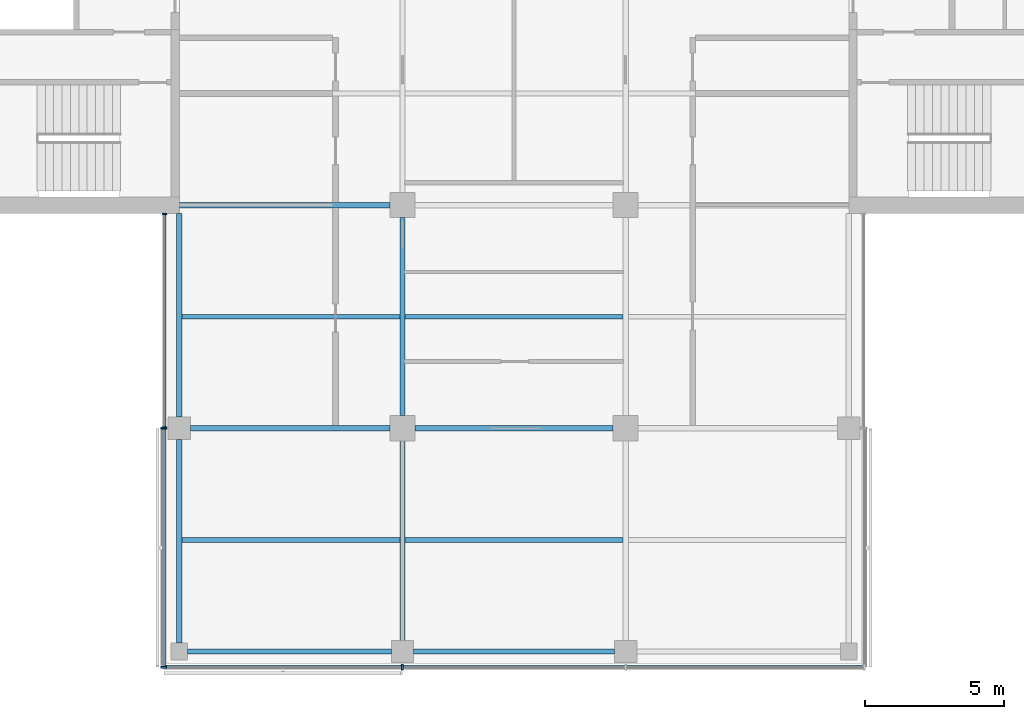
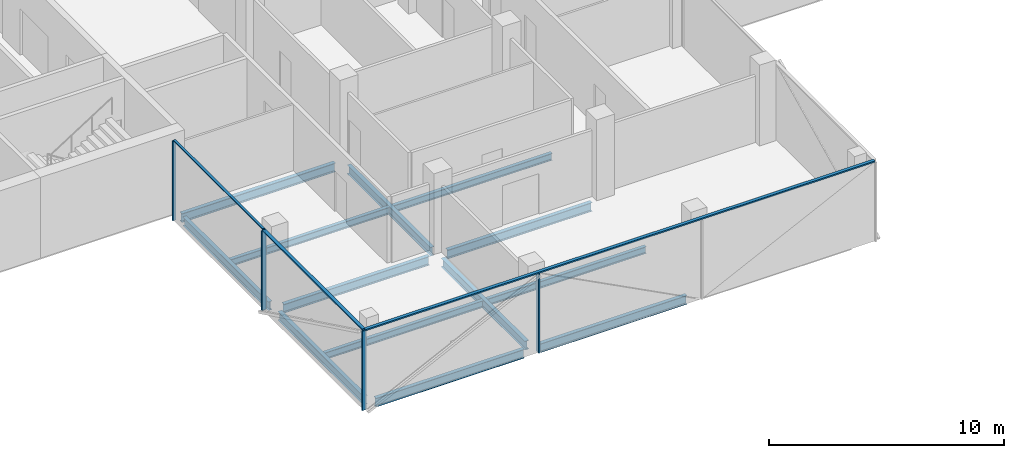
# One storey, part 2 of 16: 13 beams, 8 members, 3 elements without a shape of their own.
"""IFC4 building model written with IfcOpenShell, lengths in metres."""

from ifc_helpers import new_model, si_unit, direction, frame, origin, origin_2d, place, context, subcontext, project, spatial, rectangle, i_section, extrude, material, material_profile, profile_set, type_object, element, aggregate, save


model = new_model("IFC4")

# Units and contexts
model_context = context("Model", 3, precision=1e-05, world=origin(), true_north=direction((0.0, 1.0)))
body_context = subcontext(model_context, "Body", "Model", "MODEL_VIEW")
ifc_project = project(units=[si_unit("LENGTHUNIT", "METRE"), si_unit("AREAUNIT", "SQUARE_METRE"), si_unit("VOLUMEUNIT", "CUBIC_METRE"), si_unit("PLANEANGLEUNIT", "RADIAN"), si_unit("MASSUNIT", "GRAM", prefix="KILO")], contexts=[model_context])

# Site, building, storey
site_placement = place(None, origin())
site = spatial("IfcSite", under=ifc_project, at=site_placement, CompositionType="ELEMENT")
building_placement = place(site_placement, origin())
building = spatial("IfcBuilding", under=site, at=building_placement, Name="Crosswind Convention Tower", CompositionType="ELEMENT")
storey_placement = place(building_placement, frame((0.0, 0.0, 216.699951171875)))
storey = spatial("IfcBuildingStorey", under=building, at=storey_placement, Name="L46", CompositionType="ELEMENT", Elevation=216.699951171875)

# Beams
ifc_material_1 = material(Name="Steel S355", Category="steel")
ifc_material_profile_1 = material_profile(ifc_material_1, i_section(OverallWidth=0.18994140625, OverallDepth=0.45361328125, WebThickness=0.008544921875, FlangeThickness=0.0126953125, FilletRadius=0.01025390625, at=origin_2d()), Name="UB 457x191x67")
ifc_profile_set_1 = profile_set([ifc_material_profile_1], Name="Steel S355")
beam_type_1 = type_object("IfcBeamType", Name="Edge beam UB 457x191x67", PredefinedType="SPANDREL", material=ifc_profile_set_1)
for number, where, z_axis, x_axis, name in (
    (1, (113.0, 72.300048828125, -0.52685546875), (0.0, 1.0, 0.0), (-1.0, 0.0, 0.0), "B16 L46 edge beam 1"),
    (2, (113.0, 80.39990234375, -0.52685546875), (0.0, 1.0, 0.0), (-1.0, 0.0, 0.0), "B16 L46 edge beam 2"),
    (3, (113.300048828125, 72.0, -0.52685546875), (1.0, 0.0, 0.0), (0.0, 1.0, 0.0), "B16 L46 edge beam 5"),
):
    element("IfcBeam", number, at=place(storey_placement, frame(where, z_axis=z_axis, x_axis=x_axis)), inside=storey, type_object=beam_type_1, Name=name, PredefinedType="SPANDREL", context=body_context, shape_type="SweptSolid", body=[
        extrude(i_section(OverallWidth=0.18994140625, OverallDepth=0.45361328125, WebThickness=0.008544921875, FlangeThickness=0.0126953125, FilletRadius=0.01025390625, at=origin_2d()), origin(), (0.0, 0.0, 1.0), 7.300048828125),
    ])
beam_1_placement = place(storey_placement, frame((121.39990234375, 72.0, -0.52685546875), z_axis=(1.0, 0.0, 0.0), x_axis=(0.0, 1.0, 0.0)))
element("IfcBeam", 4, at=beam_1_placement, inside=storey, type_object=beam_type_1, Name="B16 L46 edge beam 7", PredefinedType="SPANDREL", context=body_context, shape_type="SweptSolid", body=[
    extrude(i_section(OverallWidth=0.18994140625, OverallDepth=0.45361328125, WebThickness=0.008544921875, FlangeThickness=0.0126953125, FilletRadius=0.01025390625, at=origin_2d()), origin(), (0.0, 0.0, 1.0), 7.2001953125),
])
ifc_material_profile_2 = material_profile(ifc_material_1, i_section(OverallWidth=0.1904296875, OverallDepth=0.457275390625, WebThickness=0.009033203125, FlangeThickness=0.014404296875, FilletRadius=0.01025390625, at=origin_2d()), Name="UB 457x191x75")
ifc_profile_set_2 = profile_set([ifc_material_profile_2], Name="Steel S355")
beam_type_2 = type_object("IfcBeamType", Name="Girder UB 457x191x75", PredefinedType="BEAM", material=ifc_profile_set_2)
for number, where, z_axis, x_axis, name in (
    (5, (113.39990234375, 80.0, -0.528564453125), (1.0, 0.0, 0.0), (0.0, 1.0, 0.0), "B2 L46 girder 1"),
    (6, (121.0, 72.39990234375, -0.528564453125), (0.0, 1.0, 0.0), (-1.0, 0.0, 0.0), "B2 L46 girder 3"),
):
    element("IfcBeam", number, at=place(storey_placement, frame(where, z_axis=z_axis, x_axis=x_axis)), inside=storey, type_object=beam_type_2, Name=name, PredefinedType="BEAM", context=body_context, shape_type="SweptSolid", body=[
        extrude(i_section(OverallWidth=0.1904296875, OverallDepth=0.457275390625, WebThickness=0.009033203125, FlangeThickness=0.014404296875, FilletRadius=0.01025390625, at=origin_2d()), origin(), (0.0, 0.0, 1.0), 7.150146484375),
    ])
for number, where, z_axis, x_axis, name in (
    (7, (121.0, 80.449951171875, -0.528564453125), (0.0, 1.0, 0.0), (-1.0, 0.0, 0.0), "B2 L46 girder 4"),
    (8, (121.449951171875, 80.0, -0.528564453125), (1.0, 0.0, 0.0), (0.0, 1.0, 0.0), "B2 L46 girder 10"),
):
    element("IfcBeam", number, at=place(storey_placement, frame(where, z_axis=z_axis, x_axis=x_axis)), inside=storey, type_object=beam_type_2, Name=name, PredefinedType="BEAM", context=body_context, shape_type="SweptSolid", body=[
        extrude(i_section(OverallWidth=0.1904296875, OverallDepth=0.457275390625, WebThickness=0.009033203125, FlangeThickness=0.014404296875, FilletRadius=0.01025390625, at=origin_2d()), origin(), (0.0, 0.0, 1.0), 7.10009765625),
    ])
ifc_material_profile_3 = material_profile(ifc_material_1, i_section(OverallWidth=0.19140625, OverallDepth=0.460205078125, WebThickness=0.010009765625, FlangeThickness=0.01611328125, FilletRadius=0.01025390625, at=origin_2d()), Name="UB 457x191x82")
ifc_profile_set_3 = profile_set([ifc_material_profile_3], Name="Steel S355")
beam_type_3 = type_object("IfcBeamType", Name="Girder at core wall UB 457x191x82", PredefinedType="BEAM", material=ifc_profile_set_3)
beam_2_placement = place(storey_placement, frame((113.0, 88.0, -0.530029296875), z_axis=(1.0, 0.0, 0.0), x_axis=(0.0, 1.0, 0.0)))
element("IfcBeam", 9, at=beam_2_placement, inside=storey, type_object=beam_type_3, Name="B23 L46 girder at core wall 1", PredefinedType="BEAM", context=body_context, shape_type="SweptSolid", body=[
    extrude(i_section(OverallWidth=0.19140625, OverallDepth=0.460205078125, WebThickness=0.010009765625, FlangeThickness=0.01611328125, FilletRadius=0.01025390625, at=origin_2d()), origin(), (0.0, 0.0, 1.0), 7.550048828125),
])

# Curtain wall, members
ifc_material_2 = material(Name="Aluminium unitised curtain wall", Category="aluminium")
curtain_wall_type_1 = type_object("IfcCurtainWallType", Name="CORE END SLOT WALL 160", PredefinedType="USERDEFINED", material=ifc_material_2)
curtain_wall_1_placement = place(storey_placement, origin())
curtain_wall_1 = element("IfcCurtainWall", 10, at=curtain_wall_1_placement, inside=storey, type_object=curtain_wall_type_1, Name="CW6 L46 S-W.1-1 slot", ObjectType="UNITISED", PredefinedType="USERDEFINED")
ifc_material_3 = material(Name="Aluminium mullion", Category="aluminium")
ifc_material_profile_4 = material_profile(ifc_material_3, rectangle(XDim=0.159912109375, YDim=0.050048828125, at=origin_2d()), Name="AL 160X50")
ifc_profile_set_4 = profile_set([ifc_material_profile_4], Name="Aluminium mullion")
member_type_1 = type_object("IfcMemberType", Name="MULLION 50X160", PredefinedType="MULLION", material=ifc_profile_set_4)
member_1_placement = place(storey_placement, frame((112.469970703125, 87.675048828125, -0.300048828125), z_axis=(0.0, 0.0, 1.0), x_axis=(-1.0, 0.0, 0.0)))
member_1 = element("IfcMember", 11, at=member_1_placement, type_object=member_type_1, Name="CW6 mullion 1", PredefinedType="MULLION", context=body_context, shape_type="SweptSolid", body=[
    extrude(rectangle(XDim=0.159912109375, YDim=0.050048828125, at=origin_2d()), origin(), (0.0, 0.0, 1.0), 4.150146484375),
])
member_2_placement = place(storey_placement, frame((112.469970703125, 80.02490234375, -0.300048828125), z_axis=(0.0, 0.0, 1.0), x_axis=(-1.0, 0.0, 0.0)))
member_2 = element("IfcMember", 12, at=member_2_placement, type_object=member_type_1, Name="CW6 mullion 2", PredefinedType="MULLION", context=body_context, shape_type="SweptSolid", body=[
    extrude(rectangle(XDim=0.159912109375, YDim=0.050048828125, at=origin_2d()), origin(), (0.0, 0.0, 1.0), 4.150146484375),
])

curtain_wall_type_2 = type_object("IfcCurtainWallType", Name="OFFICE UNITISED WALL 220", PredefinedType="USERDEFINED", material=ifc_material_2)
curtain_wall_2_placement = place(storey_placement, origin())
curtain_wall_2 = element("IfcCurtainWall", 13, at=curtain_wall_2_placement, inside=storey, type_object=curtain_wall_type_2, Name="CW3 L46 S-W 1", ObjectType="UNITISED", PredefinedType="USERDEFINED")
ifc_material_profile_5 = material_profile(ifc_material_3, rectangle(XDim=0.219970703125, YDim=0.070068359375, at=origin_2d()), Name="AL 220X70")
ifc_profile_set_5 = profile_set([ifc_material_profile_5], Name="Aluminium mullion")
member_type_2 = type_object("IfcMemberType", Name="MULLION 70X220", PredefinedType="MULLION", material=ifc_profile_set_5)
member_3_placement = place(storey_placement, frame((112.43994140625, 80.0, -0.300048828125), z_axis=(0.0, 0.0, 1.0), x_axis=(-1.0, 0.0, 0.0)))
member_3 = element("IfcMember", 14, at=member_3_placement, type_object=member_type_2, Name="CW3 mullion 1", PredefinedType="MULLION", context=body_context, shape_type="SweptSolid", body=[
    extrude(rectangle(XDim=0.219970703125, YDim=0.070068359375, at=origin_2d()), origin(), (0.0, 0.0, 1.0), 4.130126953125),
])
member_4_placement = place(storey_placement, frame((112.43994140625, 71.43994140625, -0.300048828125), z_axis=(0.0, 0.0, 1.0), x_axis=(-1.0, 0.0, 0.0)))
member_4 = element("IfcMember", 15, at=member_4_placement, type_object=member_type_2, Name="CW3 mullion 2", PredefinedType="MULLION", context=body_context, shape_type="SweptSolid", body=[
    extrude(rectangle(XDim=0.219970703125, YDim=0.070068359375, at=origin_2d()), origin(), (0.0, 0.0, 1.0), 4.130126953125),
])

# Curtain wall, member
curtain_wall_3_placement = place(storey_placement, origin())
curtain_wall_3 = element("IfcCurtainWall", 16, at=curtain_wall_3_placement, inside=storey, type_object=curtain_wall_type_2, Name="CW3 L46 S-TIP 1", ObjectType="UNITISED", PredefinedType="USERDEFINED")
member_5_placement = place(storey_placement, frame((121.0, 71.43994140625, -0.300048828125), z_axis=(0.0, 0.0, 1.0), x_axis=(0.0, -1.0, 0.0)))
member_5 = element("IfcMember", 17, at=member_5_placement, type_object=member_type_2, Name="CW3 mullion 2", PredefinedType="MULLION", context=body_context, shape_type="SweptSolid", body=[
    extrude(rectangle(XDim=0.219970703125, YDim=0.070068359375, at=origin_2d()), origin(), (0.0, 0.0, 1.0), 4.130126953125),
])

# Beams
ifc_material_profile_6 = material_profile(ifc_material_1, i_section(OverallWidth=0.172119140625, OverallDepth=0.358642578125, WebThickness=0.008056640625, FlangeThickness=0.012939453125, FilletRadius=0.01025390625, at=origin_2d()), Name="UB 356x171x57")
ifc_profile_set_6 = profile_set([ifc_material_profile_6], Name="Steel S355")
beam_type_4 = type_object("IfcBeamType", Name="Secondary beam UB 356x171x57", PredefinedType="JOIST", material=ifc_profile_set_6)
for number, where, z_axis, x_axis, name in (
    (18, (113.094970703125, 76.0, -0.479248046875), (1.0, 0.0, 0.0), (0.0, 1.0, 0.0), "B9 L46 secondary beam 4"),
    (19, (113.094970703125, 84.0, -0.479248046875), (1.0, 0.0, 0.0), (0.0, 1.0, 0.0), "B9 L46 secondary beam 5"),
):
    element("IfcBeam", number, at=place(storey_placement, frame(where, z_axis=z_axis, x_axis=x_axis)), inside=storey, type_object=beam_type_4, Name=name, PredefinedType="JOIST", context=body_context, shape_type="SweptSolid", body=[
        extrude(i_section(OverallWidth=0.172119140625, OverallDepth=0.358642578125, WebThickness=0.008056640625, FlangeThickness=0.012939453125, FilletRadius=0.01025390625, at=origin_2d()), origin(), (0.0, 0.0, 1.0), 7.809814453125),
    ])
for number, where, z_axis, x_axis, name in (
    (20, (121.09521484375, 76.0, -0.479248046875), (1.0, 0.0, 0.0), (0.0, 1.0, 0.0), "B9 L46 secondary beam 8"),
    (21, (121.09521484375, 84.0, -0.479248046875), (1.0, 0.0, 0.0), (0.0, 1.0, 0.0), "B9 L46 secondary beam 9"),
):
    element("IfcBeam", number, at=place(storey_placement, frame(where, z_axis=z_axis, x_axis=x_axis)), inside=storey, type_object=beam_type_4, Name=name, PredefinedType="JOIST", context=body_context, shape_type="SweptSolid", body=[
        extrude(i_section(OverallWidth=0.172119140625, OverallDepth=0.358642578125, WebThickness=0.008056640625, FlangeThickness=0.012939453125, FilletRadius=0.01025390625, at=origin_2d()), origin(), (0.0, 0.0, 1.0), 7.8095703125),
    ])

# Member
ifc_material_4 = material(Name="Aluminium transom", Category="aluminium")
ifc_material_profile_7 = material_profile(ifc_material_4, rectangle(XDim=0.1201171875, YDim=0.050048828125, at=origin_2d()), Name="AL 120X50")
ifc_profile_set_7 = profile_set([ifc_material_profile_7], Name="Aluminium transom")
member_type_3 = type_object("IfcMemberType", Name="TRANSOM 50X120", PredefinedType="USERDEFINED", material=ifc_profile_set_7)
member_6_placement = place(storey_placement, frame((112.469970703125, 87.64990234375, 3.875), z_axis=(0.0, -1.0, 0.0), x_axis=(1.0, 0.0, 0.0)))
member_6 = element("IfcMember", 22, at=member_6_placement, type_object=member_type_3, Name="CW6 transom", ObjectType="TRANSOM", PredefinedType="USERDEFINED", context=body_context, shape_type="SweptSolid", body=[
    extrude(rectangle(XDim=0.1201171875, YDim=0.050048828125, at=origin_2d()), origin(), (0.0, 0.0, 1.0), 7.599853515625),
])

aggregate(curtain_wall_1, [member_1, member_2, member_6])

ifc_material_profile_8 = material_profile(ifc_material_4, rectangle(XDim=0.159912109375, YDim=0.070068359375, at=origin_2d()), Name="AL 160X70")
ifc_profile_set_8 = profile_set([ifc_material_profile_8], Name="Aluminium transom")
member_type_4 = type_object("IfcMemberType", Name="TRANSOM 70X160", PredefinedType="USERDEFINED", material=ifc_profile_set_8)
member_7_placement = place(storey_placement, frame((112.43994140625, 79.965087890625, 3.864990234375), z_axis=(0.0, -1.0, 0.0), x_axis=(1.0, 0.0, 0.0)))
member_7 = element("IfcMember", 23, at=member_7_placement, type_object=member_type_4, Name="CW3 transom", ObjectType="TRANSOM", PredefinedType="USERDEFINED", context=body_context, shape_type="SweptSolid", body=[
    extrude(rectangle(XDim=0.159912109375, YDim=0.070068359375, at=origin_2d()), origin(), (0.0, 0.0, 1.0), 8.489990234375),
])

aggregate(curtain_wall_2, [member_3, member_4, member_7])

member_8_placement = place(storey_placement, frame((112.47509765625, 71.43994140625, 3.864990234375), z_axis=(1.0, 0.0, 0.0), x_axis=(0.0, 1.0, 0.0)))
member_8 = element("IfcMember", 24, at=member_8_placement, type_object=member_type_4, Name="CW3 transom", ObjectType="TRANSOM", PredefinedType="USERDEFINED", context=body_context, shape_type="SweptSolid", body=[
    extrude(rectangle(XDim=0.159912109375, YDim=0.070068359375, at=origin_2d()), origin(), (0.0, 0.0, 1.0), 25.0498046875),
])

aggregate(curtain_wall_3, [member_5, member_8])

save(model, "model.ifc")
